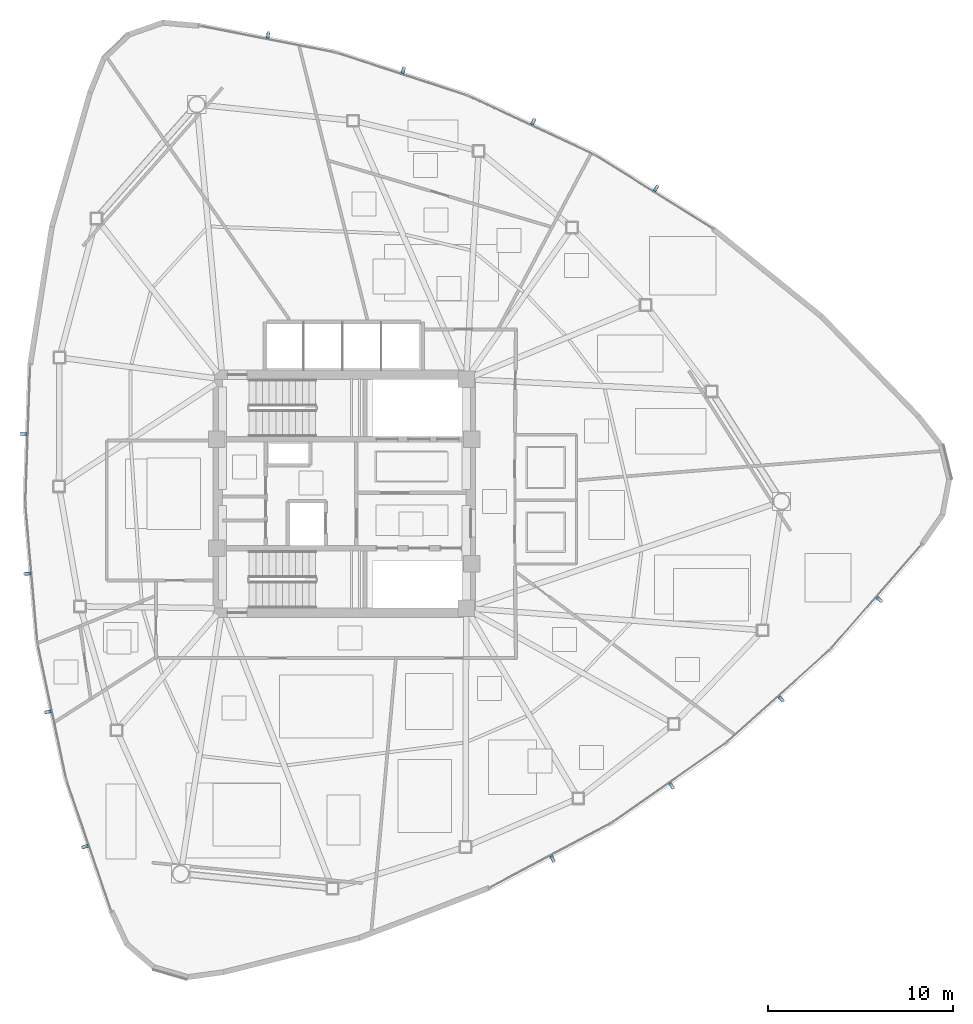
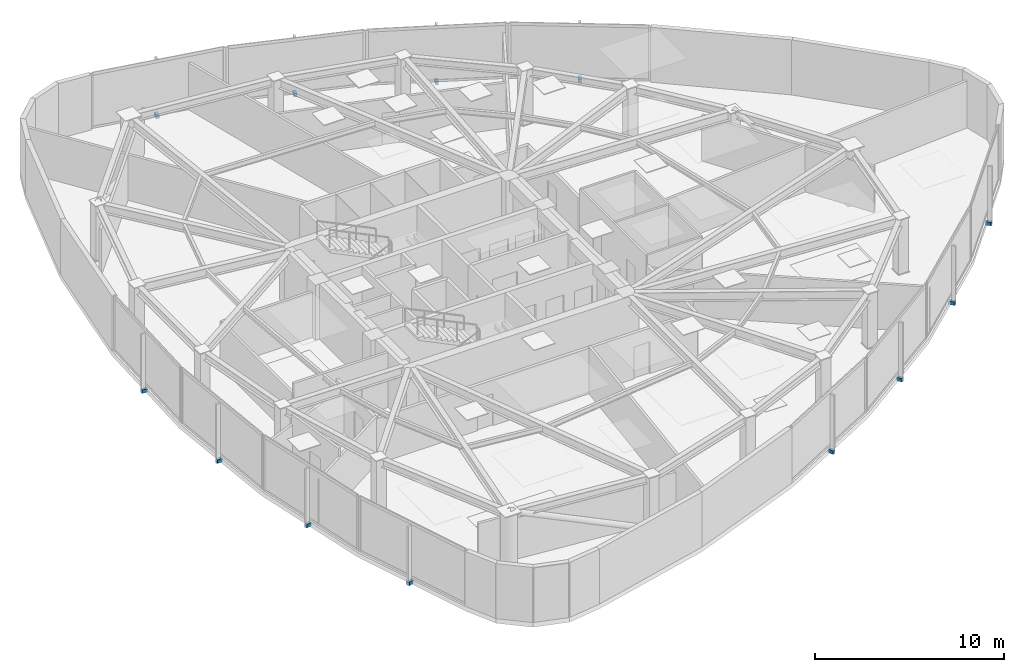
# One storey, part 13 of 17: 12 discrete accessories.
"""IFC4 building model written with IfcOpenShell, lengths in metres."""

from ifc_helpers import new_model, si_unit, direction, frame, origin, origin_2d, place, context, subcontext, project, spatial, rectangle, extrude, source, transform, mapped, material, type_object, type_shapes, element, save


model = new_model("IFC4")

# Units and contexts
model_context = context("Model", 3, precision=1e-05, world=origin(), true_north=direction((0.0, 1.0)))
body_context = subcontext(model_context, "Body", "Model", "MODEL_VIEW")
ifc_project = project(units=[si_unit("LENGTHUNIT", "METRE"), si_unit("AREAUNIT", "SQUARE_METRE"), si_unit("VOLUMEUNIT", "CUBIC_METRE"), si_unit("PLANEANGLEUNIT", "RADIAN"), si_unit("MASSUNIT", "GRAM", prefix="KILO")], contexts=[model_context])

# Site, building, storey
site_placement = place(None, origin())
site = spatial("IfcSite", under=ifc_project, at=site_placement, CompositionType="ELEMENT")
building_placement = place(site_placement, origin())
building = spatial("IfcBuilding", under=site, at=building_placement, Name="Tavelor Broadcast Tower", CompositionType="ELEMENT")
storey_placement = place(building_placement, frame((0.0, 0.0, 165.64990234375)))
storey = spatial("IfcBuildingStorey", under=building, at=storey_placement, Name="L39", CompositionType="ELEMENT", Elevation=165.64990234375)

# Discrete accessories
ifc_material = material(Name="Steel S355", Category="steel")
discrete_accessory_type = type_object("IfcDiscreteAccessoryType", Name="Stainless Baguette Outrigger Support Bracket 260x180", PredefinedType="BRACKET", material=ifc_material)
shared_shape = source(origin(), body_context, "Body", "SweptSolid", [
    extrude(rectangle(XDim=0.179931640625, YDim=0.340087890625, at=origin_2d()), origin(), (0.0, 0.0, 1.0), 0.216064453125),
])
type_shapes(discrete_accessory_type, [shared_shape])
for number, where, z_axis, x_axis, name in (
    (1, (32.6376953125, 48.236328125, -0.2578125), (0.0, 0.0, 1.0), (-0.034550641374, -0.999402948355, 0.0), "L39 Baguette Outrigger Bracket 397"),
    (2, (32.835693359375, 40.6708984375, -0.2578125), (0.0, 0.0, 1.0), (0.086807999895, -0.996225060493, 0.0), "L39 Baguette Outrigger Bracket 398"),
    (3, (33.947998046875, 33.18505859375, -0.2578125), (0.0, 0.0, 1.0), (0.206716503214, -0.978400882716, 0.0), "L39 Baguette Outrigger Bracket 399"),
    (4, (35.957763671875, 25.888916015625, -0.2578125), (0.0, 0.0, 1.0), (0.32358715238, -0.946198369695, 0.0), "L39 Baguette Outrigger Bracket 400"),
    (5, (61.2783203125, 25.227783203125, -0.2578125), (0.0, 0.0, 1.0), (0.88278366258, 0.46977974103, 0.0), "L39 Baguette Outrigger Bracket 401"),
    (6, (67.731201171875, 29.18212890625, -0.2578125), (0.0, 0.0, 1.0), (0.819352210326, 0.573290463408, 0.0), "L39 Baguette Outrigger Bracket 402"),
    (7, (73.658203125, 33.88818359375, -0.2578125), (0.0, 0.0, 1.0), (0.74396176791, 0.668222184522, 0.0), "L39 Baguette Outrigger Bracket 403"),
    (8, (78.971923828125, 39.277099609375, -0.2578125), (0.0, 0.0, 1.0), (0.657638248986, 0.753333879147, 0.0), "L39 Baguette Outrigger Bracket 404"),
    (9, (66.884033203125, 61.53564453125, -0.2578125), (0.0, 0.0, 1.0), (-0.848233021205, 0.529623207325, 0.0), "L39 Baguette Outrigger Bracket 405"),
    (10, (60.23291015625, 65.14697265625, -0.2578125), (0.0, 0.0, 1.0), (-0.906086380408, 0.423092745435, 0.0), "L39 Baguette Outrigger Bracket 406"),
    (11, (53.194091796875, 67.9267578125, -0.2578125), (0.0, 0.0, 1.0), (-0.950678271124, 0.310178698193, 0.0), "L39 Baguette Outrigger Bracket 407"),
    (12, (45.870361328125, 69.834228515625, -0.2578125), (0.0, 0.0, 1.0), (-0.981225401366, 0.192864490548, 0.0), "L39 Baguette Outrigger Bracket 408"),
):
    element("IfcDiscreteAccessory", number, at=place(storey_placement, frame(where, z_axis=z_axis, x_axis=x_axis)), inside=storey, type_object=discrete_accessory_type, Name=name, PredefinedType="BRACKET", context=body_context, shape_type="MappedRepresentation", body=[
        mapped(shared_shape, transform((0.0, 0.0, 0.0), scale=1.0)),
    ])

save(model, "model.ifc")
